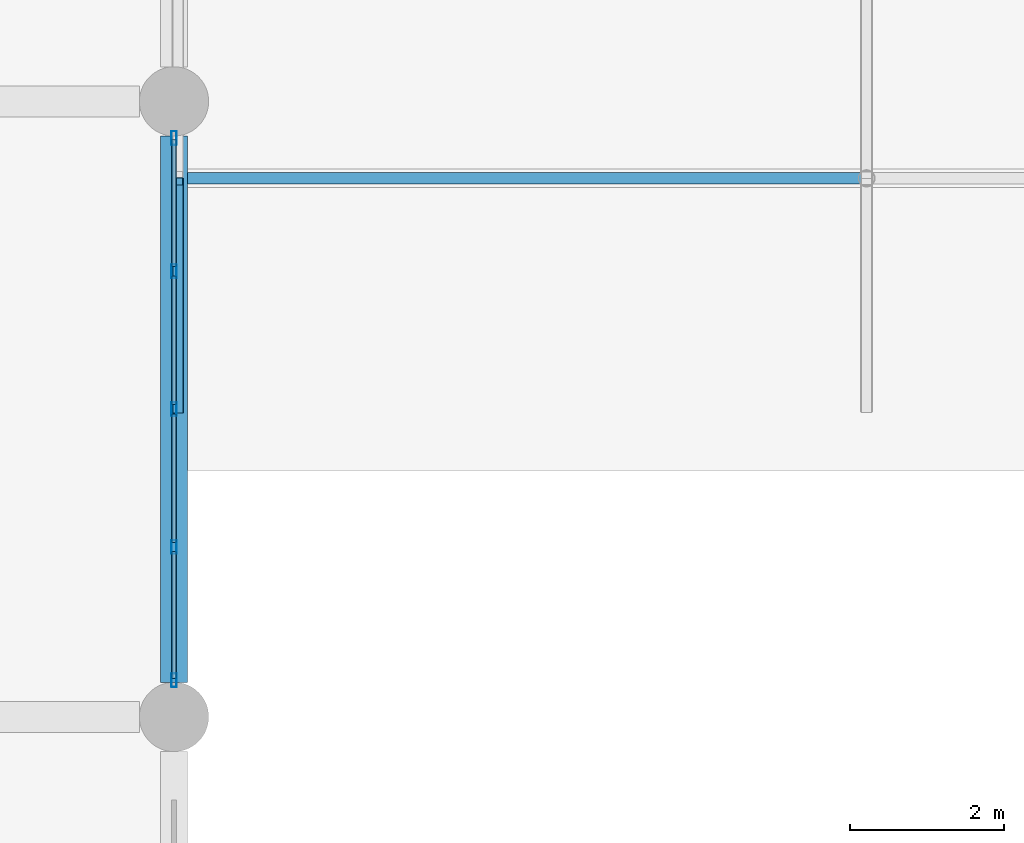
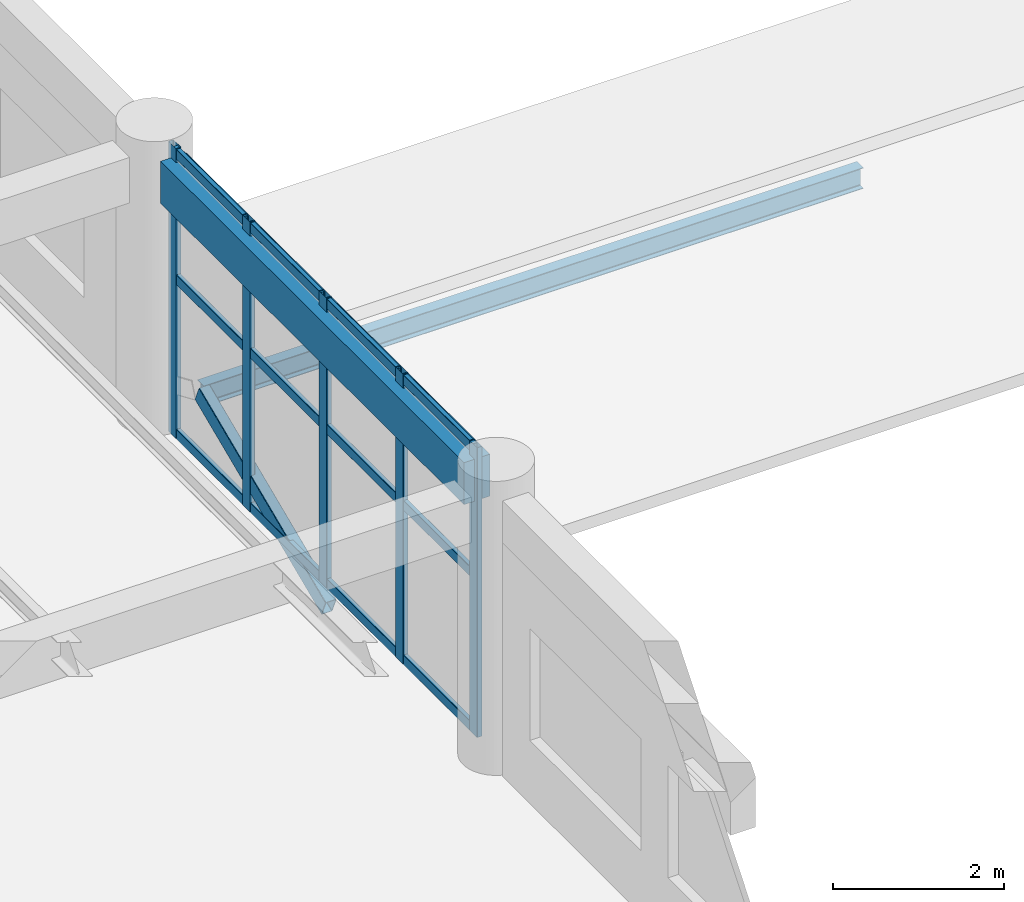
# One storey, part 48 of 148: 18 members, 2 beams, 1 element without a shape of its own.
"""IFC4 building model written with IfcOpenShell, lengths in metres."""

from ifc_helpers import new_model, si_unit, derived_unit, direction, frame, origin, origin_2d, place, context, subcontext, project, spatial, rectangle, hollow_rectangle, i_section, extrude, material, material_profile, profile_set, type_object, element, aggregate, save


model = new_model("IFC4")

# Units and contexts
model_context = context("Model", 3, precision=1e-05, world=origin(), true_north=direction((0.0, 1.0)))
body_context = subcontext(model_context, "Body", "Model", "MODEL_VIEW")
ifc_project = project(units=[si_unit("LENGTHUNIT", "METRE"), si_unit("AREAUNIT", "SQUARE_METRE"), si_unit("VOLUMEUNIT", "CUBIC_METRE"), si_unit("PLANEANGLEUNIT", "RADIAN"), si_unit("MASSUNIT", "GRAM", prefix="KILO"), derived_unit("THERMALTRANSMITTANCEUNIT", [(si_unit("MASSUNIT", "GRAM", prefix="KILO"), 1), (si_unit("TIMEUNIT", "SECOND"), -3), (si_unit("THERMODYNAMICTEMPERATUREUNIT", "KELVIN"), -1)])], contexts=[model_context])

# Site, building, storey
site_placement = place(None, origin())
site = spatial("IfcSite", under=ifc_project, at=site_placement, CompositionType="ELEMENT")
building_placement = place(site_placement, origin())
building = spatial("IfcBuilding", under=site, at=building_placement, Name="Zhenchuan Archway Interchange", CompositionType="ELEMENT")
storey_placement = place(building_placement, frame((0.0, 0.0, 10.199951171875)))
storey = spatial("IfcBuildingStorey", under=building, at=storey_placement, Name="L02", CompositionType="ELEMENT", Elevation=10.199951171875)

# Beam
ifc_material_1 = material(Name="Steel Q355", Category="steel")
ifc_material_profile_1 = material_profile(ifc_material_1, i_section(OverallWidth=0.14990234375, OverallDepth=0.300048828125, WebThickness=0.006591796875, FlangeThickness=0.009033203125, FilletRadius=0.012939453125, at=origin_2d()), Name="HN 300x150")
ifc_profile_set_1 = profile_set([ifc_material_profile_1], Name="Steel Q355")
beam_type_1 = type_object("IfcBeamType", Name="BM_STL_EAVE_HN300", PredefinedType="BEAM", material=ifc_profile_set_1)
beam_1_placement = place(storey_placement, frame((72.050048828125, 55.0, 0.880126953125), z_axis=(1.0, 0.0, 0.0), x_axis=(0.0, 1.0, 0.0)))
element("IfcBeam", 1, at=beam_1_placement, inside=storey, type_object=beam_type_1, Name="Footbridge ridge beam 1", PredefinedType="BEAM", context=body_context, shape_type="SweptSolid", body=[
    extrude(i_section(OverallWidth=0.14990234375, OverallDepth=0.300048828125, WebThickness=0.006591796875, FlangeThickness=0.009033203125, FilletRadius=0.012939453125, at=origin_2d()), origin(), (0.0, 0.0, 1.0), 8.909912109375),
])

# Curtain wall, members
ifc_material_2 = material(Name="Anodised Aluminium", Category="aluminium")
curtain_wall_type = type_object("IfcCurtainWallType", Name="CW_UNIT_2", PredefinedType="NOTDEFINED", material=ifc_material_2)
curtain_wall_placement = place(storey_placement, origin())
curtain_wall = element("IfcCurtainWall", 2, at=curtain_wall_placement, inside=storey, type_object=curtain_wall_type, Name="Unitised curtain wall CW:L02:121", PredefinedType="NOTDEFINED")
ifc_material_profile_2 = material_profile(ifc_material_2, hollow_rectangle(XDim=0.070068359375, YDim=0.179931640625, WallThickness=0.00390625, InnerFilletRadius=0.00390625, OuterFilletRadius=0.008056640625, at=origin_2d()), Name="ALU 180x70x4")
ifc_profile_set_2 = profile_set([ifc_material_profile_2], Name="Anodised Aluminium")
member_type_1 = type_object("IfcMemberType", Name="CW_MUL_180", PredefinedType="MULLION", material=ifc_profile_set_2)
member_1_placement = place(storey_placement, frame((72.0, 55.52294921875, 0.0), z_axis=(0.0, 0.0, 1.0), x_axis=(1.0, 0.0, 0.0)))
member_1 = element("IfcMember", 3, at=member_1_placement, type_object=member_type_1, Name="CW:L02:121 mullion 0", PredefinedType="MULLION", context=body_context, shape_type="SweptSolid", body=[
    extrude(hollow_rectangle(XDim=0.070068359375, YDim=0.179931640625, WallThickness=0.00390625, InnerFilletRadius=0.00390625, OuterFilletRadius=0.008056640625, at=origin_2d()), origin(), (0.0, 0.0, 1.0), 4.14013671875),
])
member_2_placement = place(storey_placement, frame((72.0, 53.79150390625, 0.0), z_axis=(0.0, 0.0, 1.0), x_axis=(1.0, 0.0, 0.0)))
member_2 = element("IfcMember", 4, at=member_2_placement, type_object=member_type_1, Name="CW:L02:121 mullion 1", PredefinedType="MULLION", context=body_context, shape_type="SweptSolid", body=[
    extrude(hollow_rectangle(XDim=0.070068359375, YDim=0.179931640625, WallThickness=0.00390625, InnerFilletRadius=0.00390625, OuterFilletRadius=0.008056640625, at=origin_2d()), origin(), (0.0, 0.0, 1.0), 4.14013671875),
])
member_3_placement = place(storey_placement, frame((72.0, 52.0, 0.0), z_axis=(0.0, 0.0, 1.0), x_axis=(1.0, 0.0, 0.0)))
member_3 = element("IfcMember", 5, at=member_3_placement, type_object=member_type_1, Name="CW:L02:121 mullion 2", PredefinedType="MULLION", context=body_context, shape_type="SweptSolid", body=[
    extrude(hollow_rectangle(XDim=0.070068359375, YDim=0.179931640625, WallThickness=0.00390625, InnerFilletRadius=0.00390625, OuterFilletRadius=0.008056640625, at=origin_2d()), origin(), (0.0, 0.0, 1.0), 4.14013671875),
])
member_4_placement = place(storey_placement, frame((72.0, 50.20849609375, 0.0), z_axis=(0.0, 0.0, 1.0), x_axis=(1.0, 0.0, 0.0)))
member_4 = element("IfcMember", 6, at=member_4_placement, type_object=member_type_1, Name="CW:L02:121 mullion 3", PredefinedType="MULLION", context=body_context, shape_type="SweptSolid", body=[
    extrude(hollow_rectangle(XDim=0.070068359375, YDim=0.179931640625, WallThickness=0.00390625, InnerFilletRadius=0.00390625, OuterFilletRadius=0.008056640625, at=origin_2d()), origin(), (0.0, 0.0, 1.0), 4.14013671875),
])
member_5_placement = place(storey_placement, frame((72.0, 48.47705078125, 0.0), z_axis=(0.0, 0.0, 1.0), x_axis=(1.0, 0.0, 0.0)))
member_5 = element("IfcMember", 7, at=member_5_placement, type_object=member_type_1, Name="CW:L02:121 mullion 4", PredefinedType="MULLION", context=body_context, shape_type="SweptSolid", body=[
    extrude(hollow_rectangle(XDim=0.070068359375, YDim=0.179931640625, WallThickness=0.00390625, InnerFilletRadius=0.00390625, OuterFilletRadius=0.008056640625, at=origin_2d()), origin(), (0.0, 0.0, 1.0), 4.14013671875),
])
ifc_material_profile_3 = material_profile(ifc_material_2, hollow_rectangle(XDim=0.06005859375, YDim=0.139892578125, WallThickness=0.00341796875, InnerFilletRadius=0.00341796875, OuterFilletRadius=0.007080078125, at=origin_2d()), Name="ALU 140x60x3.5")
ifc_profile_set_3 = profile_set([ifc_material_profile_3], Name="Anodised Aluminium")
member_type_2 = type_object("IfcMemberType", Name="CW_TRN_140", PredefinedType="USERDEFINED", material=ifc_profile_set_3)
member_6_placement = place(storey_placement, frame((72.0, 55.5029296875, 0.06005859375), z_axis=(0.0, -1.0, 0.0), x_axis=(1.0, 0.0, 0.0)))
member_6 = element("IfcMember", 8, at=member_6_placement, type_object=member_type_2, Name="CW:L02:121 transom 0-1", ObjectType="TRANSOM", PredefinedType="USERDEFINED", context=body_context, shape_type="SweptSolid", body=[
    extrude(hollow_rectangle(XDim=0.06005859375, YDim=0.139892578125, WallThickness=0.00341796875, InnerFilletRadius=0.00341796875, OuterFilletRadius=0.007080078125, at=origin_2d()), origin(), (0.0, 0.0, 1.0), 1.6513671875),
])
member_7_placement = place(storey_placement, frame((72.0, 55.5029296875, 2.26611328125), z_axis=(0.0, -1.0, 0.0), x_axis=(1.0, 0.0, 0.0)))
member_7 = element("IfcMember", 9, at=member_7_placement, type_object=member_type_2, Name="CW:L02:121 transom 0-2", ObjectType="TRANSOM", PredefinedType="USERDEFINED", context=body_context, shape_type="SweptSolid", body=[
    extrude(hollow_rectangle(XDim=0.06005859375, YDim=0.139892578125, WallThickness=0.00341796875, InnerFilletRadius=0.00341796875, OuterFilletRadius=0.007080078125, at=origin_2d()), origin(), (0.0, 0.0, 1.0), 1.6513671875),
])
member_8_placement = place(storey_placement, frame((72.0, 55.5029296875, 4.06005859375), z_axis=(0.0, -1.0, 0.0), x_axis=(1.0, 0.0, 0.0)))
member_8 = element("IfcMember", 10, at=member_8_placement, type_object=member_type_2, Name="CW:L02:121 transom 0-3", ObjectType="TRANSOM", PredefinedType="USERDEFINED", context=body_context, shape_type="SweptSolid", body=[
    extrude(hollow_rectangle(XDim=0.06005859375, YDim=0.139892578125, WallThickness=0.00341796875, InnerFilletRadius=0.00341796875, OuterFilletRadius=0.007080078125, at=origin_2d()), origin(), (0.0, 0.0, 1.0), 1.6513671875),
])
member_9_placement = place(storey_placement, frame((72.0, 53.7314453125, 0.06005859375), z_axis=(0.0, -1.0, 0.0), x_axis=(1.0, 0.0, 0.0)))
member_9 = element("IfcMember", 11, at=member_9_placement, type_object=member_type_2, Name="CW:L02:121 transom 1-1", ObjectType="TRANSOM", PredefinedType="USERDEFINED", context=body_context, shape_type="SweptSolid", body=[
    extrude(hollow_rectangle(XDim=0.06005859375, YDim=0.139892578125, WallThickness=0.00341796875, InnerFilletRadius=0.00341796875, OuterFilletRadius=0.007080078125, at=origin_2d()), origin(), (0.0, 0.0, 1.0), 1.67138671875),
])
member_10_placement = place(storey_placement, frame((72.0, 53.7314453125, 2.26611328125), z_axis=(0.0, -1.0, 0.0), x_axis=(1.0, 0.0, 0.0)))
member_10 = element("IfcMember", 12, at=member_10_placement, type_object=member_type_2, Name="CW:L02:121 transom 1-2", ObjectType="TRANSOM", PredefinedType="USERDEFINED", context=body_context, shape_type="SweptSolid", body=[
    extrude(hollow_rectangle(XDim=0.06005859375, YDim=0.139892578125, WallThickness=0.00341796875, InnerFilletRadius=0.00341796875, OuterFilletRadius=0.007080078125, at=origin_2d()), origin(), (0.0, 0.0, 1.0), 1.67138671875),
])
member_11_placement = place(storey_placement, frame((72.0, 53.7314453125, 4.06005859375), z_axis=(0.0, -1.0, 0.0), x_axis=(1.0, 0.0, 0.0)))
member_11 = element("IfcMember", 13, at=member_11_placement, type_object=member_type_2, Name="CW:L02:121 transom 1-3", ObjectType="TRANSOM", PredefinedType="USERDEFINED", context=body_context, shape_type="SweptSolid", body=[
    extrude(hollow_rectangle(XDim=0.06005859375, YDim=0.139892578125, WallThickness=0.00341796875, InnerFilletRadius=0.00341796875, OuterFilletRadius=0.007080078125, at=origin_2d()), origin(), (0.0, 0.0, 1.0), 1.67138671875),
])
member_12_placement = place(storey_placement, frame((72.0, 51.93994140625, 0.06005859375), z_axis=(0.0, -1.0, 0.0), x_axis=(1.0, 0.0, 0.0)))
member_12 = element("IfcMember", 14, at=member_12_placement, type_object=member_type_2, Name="CW:L02:121 transom 2-1", ObjectType="TRANSOM", PredefinedType="USERDEFINED", context=body_context, shape_type="SweptSolid", body=[
    extrude(hollow_rectangle(XDim=0.06005859375, YDim=0.139892578125, WallThickness=0.00341796875, InnerFilletRadius=0.00341796875, OuterFilletRadius=0.007080078125, at=origin_2d()), origin(), (0.0, 0.0, 1.0), 1.67138671875),
])
member_13_placement = place(storey_placement, frame((72.0, 51.93994140625, 2.26611328125), z_axis=(0.0, -1.0, 0.0), x_axis=(1.0, 0.0, 0.0)))
member_13 = element("IfcMember", 15, at=member_13_placement, type_object=member_type_2, Name="CW:L02:121 transom 2-2", ObjectType="TRANSOM", PredefinedType="USERDEFINED", context=body_context, shape_type="SweptSolid", body=[
    extrude(hollow_rectangle(XDim=0.06005859375, YDim=0.139892578125, WallThickness=0.00341796875, InnerFilletRadius=0.00341796875, OuterFilletRadius=0.007080078125, at=origin_2d()), origin(), (0.0, 0.0, 1.0), 1.67138671875),
])
member_14_placement = place(storey_placement, frame((72.0, 51.93994140625, 4.06005859375), z_axis=(0.0, -1.0, 0.0), x_axis=(1.0, 0.0, 0.0)))
member_14 = element("IfcMember", 16, at=member_14_placement, type_object=member_type_2, Name="CW:L02:121 transom 2-3", ObjectType="TRANSOM", PredefinedType="USERDEFINED", context=body_context, shape_type="SweptSolid", body=[
    extrude(hollow_rectangle(XDim=0.06005859375, YDim=0.139892578125, WallThickness=0.00341796875, InnerFilletRadius=0.00341796875, OuterFilletRadius=0.007080078125, at=origin_2d()), origin(), (0.0, 0.0, 1.0), 1.67138671875),
])
member_15_placement = place(storey_placement, frame((72.0, 50.1484375, 0.06005859375), z_axis=(0.0, -1.0, 0.0), x_axis=(1.0, 0.0, 0.0)))
member_15 = element("IfcMember", 17, at=member_15_placement, type_object=member_type_2, Name="CW:L02:121 transom 3-1", ObjectType="TRANSOM", PredefinedType="USERDEFINED", context=body_context, shape_type="SweptSolid", body=[
    extrude(hollow_rectangle(XDim=0.06005859375, YDim=0.139892578125, WallThickness=0.00341796875, InnerFilletRadius=0.00341796875, OuterFilletRadius=0.007080078125, at=origin_2d()), origin(), (0.0, 0.0, 1.0), 1.6513671875),
])
member_16_placement = place(storey_placement, frame((72.0, 50.1484375, 2.26611328125), z_axis=(0.0, -1.0, 0.0), x_axis=(1.0, 0.0, 0.0)))
member_16 = element("IfcMember", 18, at=member_16_placement, type_object=member_type_2, Name="CW:L02:121 transom 3-2", ObjectType="TRANSOM", PredefinedType="USERDEFINED", context=body_context, shape_type="SweptSolid", body=[
    extrude(hollow_rectangle(XDim=0.06005859375, YDim=0.139892578125, WallThickness=0.00341796875, InnerFilletRadius=0.00341796875, OuterFilletRadius=0.007080078125, at=origin_2d()), origin(), (0.0, 0.0, 1.0), 1.6513671875),
])
member_17_placement = place(storey_placement, frame((72.0, 50.1484375, 4.06005859375), z_axis=(0.0, -1.0, 0.0), x_axis=(1.0, 0.0, 0.0)))
member_17 = element("IfcMember", 19, at=member_17_placement, type_object=member_type_2, Name="CW:L02:121 transom 3-3", ObjectType="TRANSOM", PredefinedType="USERDEFINED", context=body_context, shape_type="SweptSolid", body=[
    extrude(hollow_rectangle(XDim=0.06005859375, YDim=0.139892578125, WallThickness=0.00341796875, InnerFilletRadius=0.00341796875, OuterFilletRadius=0.007080078125, at=origin_2d()), origin(), (0.0, 0.0, 1.0), 1.6513671875),
])
aggregate(curtain_wall, [member_1, member_2, member_3, member_4, member_5, member_6, member_7, member_8, member_9, member_10, member_11, member_12, member_13, member_14, member_15, member_16, member_17])

# Member
ifc_material_profile_4 = material_profile(ifc_material_1, hollow_rectangle(XDim=0.14990234375, YDim=0.25, WallThickness=0.008056640625, InnerFilletRadius=0.008056640625, OuterFilletRadius=0.01611328125, at=origin_2d()), Name="RHS 250x150x8")
ifc_profile_set_4 = profile_set([ifc_material_profile_4], Name="Steel Q355")
member_type_3 = type_object("IfcMemberType", Name="MB_RHS250", PredefinedType="PURLIN", material=ifc_profile_set_4)
member_18_placement = place(storey_placement, frame((72.050048828125, 52.0, -0.349853515625), z_axis=(0.0, 0.918980284136, 0.39430348384), x_axis=(-1.0, 0.0, 0.0)))
element("IfcMember", 20, at=member_18_placement, inside=storey, type_object=member_type_3, Name="Footbridge south roof rafter X72", PredefinedType="PURLIN", context=body_context, shape_type="SweptSolid", body=[
    extrude(hollow_rectangle(XDim=0.14990234375, YDim=0.25, WallThickness=0.008056640625, InnerFilletRadius=0.008056640625, OuterFilletRadius=0.01611328125, at=origin_2d()), origin(), (0.0, 0.0, 1.0), 3.220947265625),
])

# Beam
ifc_material_3 = material(Name="Concrete C40", Category="concrete")
ifc_material_profile_5 = material_profile(ifc_material_3, rectangle(XDim=0.35009765625, YDim=0.60009765625, at=origin_2d()), Name="RC 350x600")
ifc_profile_set_5 = profile_set([ifc_material_profile_5], Name="Concrete C40")
beam_type_2 = type_object("IfcBeamType", Name="SP_RC_350x600", PredefinedType="SPANDREL", material=ifc_profile_set_5)
beam_2_placement = place(storey_placement, frame((72.0, 48.449951171875, 3.64013671875), z_axis=(0.0, 1.0, 0.0), x_axis=(-1.0, 0.0, 0.0)))
element("IfcBeam", 21, at=beam_2_placement, inside=storey, type_object=beam_type_2, Name="Beam 9:G-H (L02)", PredefinedType="SPANDREL", context=body_context, shape_type="SweptSolid", body=[
    extrude(rectangle(XDim=0.35009765625, YDim=0.60009765625, at=origin_2d()), origin(), (0.0, 0.0, 1.0), 7.10009765625),
])

save(model, "model.ifc")
